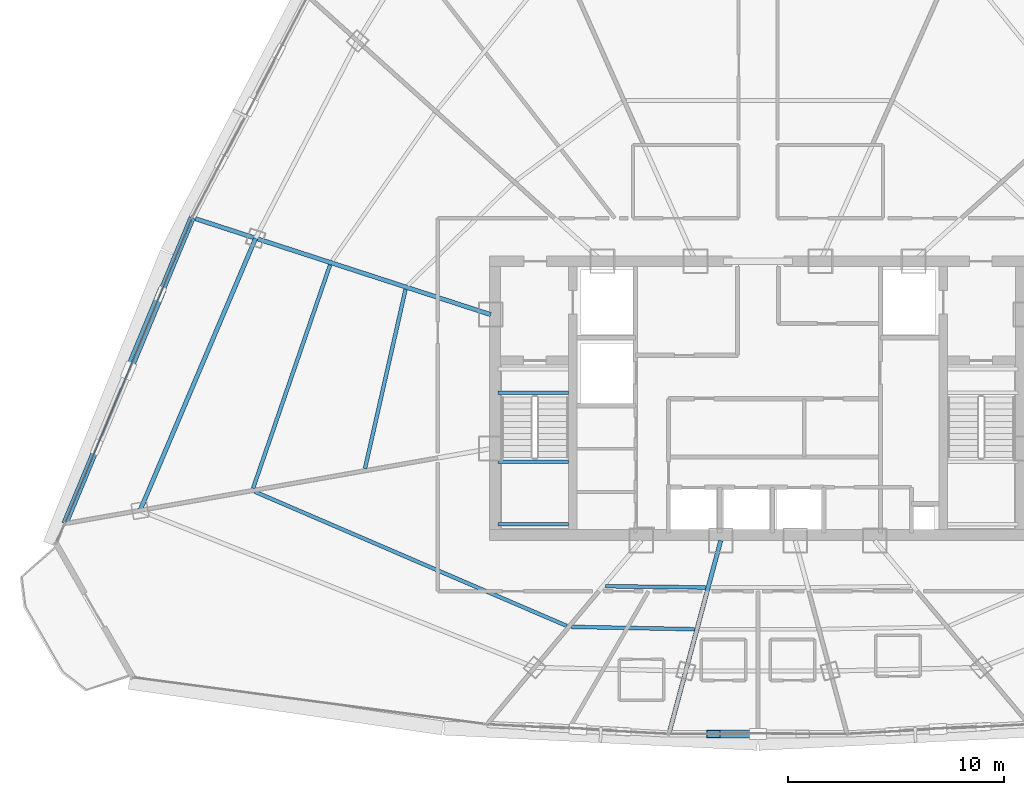
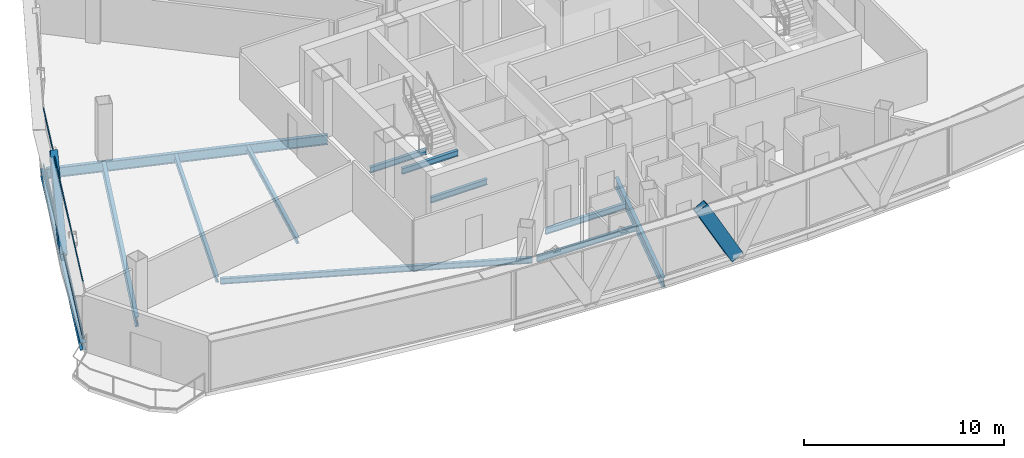
# One storey, part 7 of 37: 12 beams, 4 members, 1 element without a shape of its own.
"""IFC4 building model written with IfcOpenShell, lengths in metres."""

from ifc_helpers import new_model, si_unit, direction, frame, origin, origin_2d, place, context, subcontext, project, spatial, hollow_rectangle, i_section, extrude, source, transform, mapped, material, layer, layer_set, material_profile, profile_set, type_object, element, aggregate, save


model = new_model("IFC4")

# Units and contexts
model_context = context("Model", 3, precision=1e-05, world=origin(), true_north=direction((0.0, 1.0)))
body_context = subcontext(model_context, "Body", "Model", "MODEL_VIEW")
ifc_project = project(units=[si_unit("LENGTHUNIT", "METRE"), si_unit("AREAUNIT", "SQUARE_METRE"), si_unit("VOLUMEUNIT", "CUBIC_METRE"), si_unit("PLANEANGLEUNIT", "RADIAN"), si_unit("MASSUNIT", "GRAM", prefix="KILO"), si_unit("THERMODYNAMICTEMPERATUREUNIT", "KELVIN"), si_unit("POWERUNIT", "WATT")], contexts=[model_context])

# Site, building, storey
site_placement = place(None, origin())
site = spatial("IfcSite", under=ifc_project, at=site_placement, CompositionType="ELEMENT")
building_placement = place(site_placement, origin())
building = spatial("IfcBuilding", under=site, at=building_placement, Name="Yunzhuo Pagoda Commons", CompositionType="ELEMENT")
storey_placement = place(building_placement, frame((0.0, 0.0, 281.2900390625)))
storey = spatial("IfcBuildingStorey", under=building, at=storey_placement, Name="L70", CompositionType="ELEMENT", Elevation=281.2900390625)

# Beams
ifc_material_1 = material(Name="Structural steel Q355B", Category="steel")
ifc_material_profile_1 = material_profile(ifc_material_1, i_section(OverallWidth=0.175048828125, OverallDepth=0.35009765625, WebThickness=0.007080078125, FlangeThickness=0.010986328125, at=origin_2d()), Name="Structural steel Q355B")
ifc_profile_set_1 = profile_set([ifc_material_profile_1], Name="Structural steel Q355B")
beam_type_1 = type_object("IfcBeamType", Name="B-JS2 Joist HN 350x175x7x11", PredefinedType="JOIST", material=ifc_profile_set_1)
shared_shape_1 = source(origin(), body_context, "Body", "SweptSolid", [
    extrude(i_section(OverallWidth=0.175048828125, OverallDepth=0.35009765625, WebThickness=0.007080078125, FlangeThickness=0.010986328125, at=origin_2d()), origin(), (0.0, 0.0, 1.0), 3.25),
])
for number, where, z_axis, x_axis, name in (
    (1, (35.949951171875, 28.0, 1.489990234375), (1.0, 0.0, 0.0), (0.0, 1.0, 0.0), "L70 ST1 landing support beam 76A"),
    (2, (35.949951171875, 30.89990234375, 1.489990234375), (1.0, 0.0, 0.0), (0.0, 1.0, 0.0), "L70 ST1 landing support beam 76B"),
    (3, (35.949951171875, 34.10009765625, -0.375), (1.0, 0.0, 0.0), (0.0, 1.0, 0.0), "L70 ST1 landing support beam 174A"),
):
    element("IfcBeam", number, at=place(storey_placement, frame(where, z_axis=z_axis, x_axis=x_axis)), inside=storey, type_object=beam_type_1, Name=name, PredefinedType="JOIST", context=body_context, shape_type="MappedRepresentation", body=[
        mapped(shared_shape_1, transform((0.0, 0.0, 0.0), scale=1.0)),
    ])
ifc_material_profile_2 = material_profile(ifc_material_1, i_section(OverallWidth=0.300048828125, OverallDepth=0.43994140625, WebThickness=0.010986328125, FlangeThickness=0.01806640625, at=origin_2d()), Name="Structural steel Q355B")
ifc_profile_set_2 = profile_set([ifc_material_profile_2], Name="Structural steel Q355B")
beam_type_2 = type_object("IfcBeamType", Name="B-SP2 Beam HM 440x300x11x18", PredefinedType="BEAM", material=ifc_profile_set_2)
shared_shape_2 = source(origin(), body_context, "Body", "SweptSolid", [
    extrude(i_section(OverallWidth=0.300048828125, OverallDepth=0.43994140625, WebThickness=0.010986328125, FlangeThickness=0.01806640625, at=origin_2d()), origin(), (0.0, 0.0, 1.0), 15.375244140625),
])
beam_1_placement = place(storey_placement, frame((21.751708984375, 42.228515625, -0.47998046875), z_axis=(-0.383838408303, -0.923400279571, 0.0), x_axis=(0.923400279571, -0.383838408303, 0.0)))
element("IfcBeam", 4, at=beam_1_placement, inside=storey, type_object=beam_type_2, Name="L70 facade edge spandrel beam F3.3", PredefinedType="BEAM", context=body_context, shape_type="MappedRepresentation", body=[
    mapped(shared_shape_2, transform((0.0, 0.0, 0.0), scale=1.0)),
])
ifc_material_profile_3 = material_profile(ifc_material_1, i_section(OverallWidth=0.199951171875, OverallDepth=0.60009765625, WebThickness=0.010986328125, FlangeThickness=0.01708984375, at=origin_2d()), Name="Structural steel Q355B")
ifc_profile_set_3 = profile_set([ifc_material_profile_3], Name="Structural steel Q355B")
beam_type_3 = type_object("IfcBeamType", Name="B-RG3 Beam HN 600x200x11x17", PredefinedType="BEAM", material=ifc_profile_set_3)
shared_shape_3 = source(origin(), body_context, "Body", "SweptSolid", [
    extrude(i_section(OverallWidth=0.199951171875, OverallDepth=0.60009765625, WebThickness=0.010986328125, FlangeThickness=0.01708984375, at=origin_2d()), origin(), (0.0, 0.0, 1.0), 9.136474609375),
])
beam_2_placement = place(storey_placement, frame((43.906982421875, 18.4248046875, -0.559814453125), z_axis=(0.258848279134, 0.96591799258, 0.0), x_axis=(-0.96591799258, 0.258848279134, 0.0)))
element("IfcBeam", 5, at=beam_2_placement, inside=storey, type_object=beam_type_3, Name="L70 radial floor girder F1C2", PredefinedType="BEAM", context=body_context, shape_type="MappedRepresentation", body=[
    mapped(shared_shape_3, transform((0.0, 0.0, 0.0), scale=1.0)),
])
shared_shape_4 = source(origin(), body_context, "Body", "SweptSolid", [
    extrude(i_section(OverallWidth=0.199951171875, OverallDepth=0.60009765625, WebThickness=0.010986328125, FlangeThickness=0.01708984375, at=origin_2d()), origin(), (0.0, 0.0, 1.0), 14.406005859375),
])
beam_3_placement = place(storey_placement, frame((21.899169921875, 42.1806640625, -0.559814453125), z_axis=(0.951057355196, -0.309014412492, 0.0), x_axis=(0.309014412492, 0.951057355196, 0.0)))
element("IfcBeam", 6, at=beam_3_placement, inside=storey, type_object=beam_type_3, Name="L70 radial floor girder F3C3", PredefinedType="BEAM", context=body_context, shape_type="MappedRepresentation", body=[
    mapped(shared_shape_4, transform((0.0, 0.0, 0.0), scale=1.0)),
])
shared_shape_5 = source(origin(), body_context, "Body", "SweptSolid", [
    extrude(i_section(OverallWidth=0.175048828125, OverallDepth=0.35009765625, WebThickness=0.007080078125, FlangeThickness=0.010986328125, at=origin_2d()), origin(), (0.0, 0.0, 1.0), 4.64892578125),
])
beam_4_placement = place(storey_placement, frame((40.924072265625, 25.12890625, -0.434814453125), z_axis=(0.999924495467, -0.012288342626, 0.0), x_axis=(0.012288342626, 0.999924495467, 0.0)))
element("IfcBeam", 7, at=beam_4_placement, inside=storey, type_object=beam_type_1, Name="L70 composite ring joist 1.1", PredefinedType="JOIST", context=body_context, shape_type="MappedRepresentation", body=[
    mapped(shared_shape_5, transform((0.0, 0.0, 0.0), scale=1.0)),
])
shared_shape_6 = source(origin(), body_context, "Body", "SweptSolid", [
    extrude(i_section(OverallWidth=0.175048828125, OverallDepth=0.35009765625, WebThickness=0.007080078125, FlangeThickness=0.010986328125, at=origin_2d()), origin(), (0.0, 0.0, 1.0), 5.711669921875),
])
beam_5_placement = place(storey_placement, frame((39.343017578125, 23.24365234375, -0.434814453125), z_axis=(0.999819084998, -0.019020969297, 0.0), x_axis=(0.019020969297, 0.999819084998, 0.0)))
element("IfcBeam", 8, at=beam_5_placement, inside=storey, type_object=beam_type_1, Name="L70 composite ring joist 2.1", PredefinedType="JOIST", context=body_context, shape_type="MappedRepresentation", body=[
    mapped(shared_shape_6, transform((0.0, 0.0, 0.0), scale=1.0)),
])
shared_shape_7 = source(origin(), body_context, "Body", "SweptSolid", [
    extrude(i_section(OverallWidth=0.199951171875, OverallDepth=0.60009765625, WebThickness=0.010986328125, FlangeThickness=0.01708984375, at=origin_2d()), origin(), (0.0, 0.0, 1.0), 13.715576171875),
])
beam_6_placement = place(storey_placement, frame((24.697509765625, 41.271484375, -0.559814453125), z_axis=(-0.390733146992, -0.920503996646, 0.0), x_axis=(0.920503996646, -0.390733146992, 0.0)))
element("IfcBeam", 9, at=beam_6_placement, inside=storey, type_object=beam_type_3, Name="L70 column-ring beam 11", PredefinedType="BEAM", context=body_context, shape_type="MappedRepresentation", body=[
    mapped(shared_shape_7, transform((0.0, 0.0, 0.0), scale=1.0)),
])
shared_shape_8 = source(origin(), body_context, "Body", "SweptSolid", [
    extrude(i_section(OverallWidth=0.175048828125, OverallDepth=0.35009765625, WebThickness=0.007080078125, FlangeThickness=0.010986328125, at=origin_2d()), origin(), (0.0, 0.0, 1.0), 8.508544921875),
])
beam_7_placement = place(storey_placement, frame((31.649658203125, 38.89208984375, -0.434814453125), z_axis=(-0.220769003385, -0.975326123481, 0.0), x_axis=(0.975326123481, -0.220769003385, 0.0)))
element("IfcBeam", 10, at=beam_7_placement, inside=storey, type_object=beam_type_1, Name="L70 composite ring joist 1.11", PredefinedType="JOIST", context=body_context, shape_type="MappedRepresentation", body=[
    mapped(shared_shape_8, transform((0.0, 0.0, 0.0), scale=1.0)),
])
shared_shape_9 = source(origin(), body_context, "Body", "SweptSolid", [
    extrude(i_section(OverallWidth=0.175048828125, OverallDepth=0.35009765625, WebThickness=0.007080078125, FlangeThickness=0.010986328125, at=origin_2d()), origin(), (0.0, 0.0, 1.0), 10.954345703125),
])
beam_8_placement = place(storey_placement, frame((28.14892578125, 40.029052734375, -0.434814453125), z_axis=(-0.325839571137, -0.945425075763, 0.0), x_axis=(0.945425075763, -0.325839571137, 0.0)))
element("IfcBeam", 11, at=beam_8_placement, inside=storey, type_object=beam_type_1, Name="L70 composite ring joist 2.11", PredefinedType="JOIST", context=body_context, shape_type="MappedRepresentation", body=[
    mapped(shared_shape_9, transform((0.0, 0.0, 0.0), scale=1.0)),
])
shared_shape_10 = source(origin(), body_context, "Body", "SweptSolid", [
    extrude(i_section(OverallWidth=0.175048828125, OverallDepth=0.35009765625, WebThickness=0.007080078125, FlangeThickness=0.010986328125, at=origin_2d()), origin(), (0.0, 0.0, 1.0), 15.757568359375),
])
beam_9_placement = place(storey_placement, frame((24.647705078125, 29.5185546875, -0.434814453125), z_axis=(0.918597596679, -0.395194199573, 0.0), x_axis=(0.395194199573, 0.918597596679, 0.0)))
element("IfcBeam", 12, at=beam_9_placement, inside=storey, type_object=beam_type_1, Name="L70 composite ring joist 2.12", PredefinedType="JOIST", context=body_context, shape_type="MappedRepresentation", body=[
    mapped(shared_shape_10, transform((0.0, 0.0, 0.0), scale=1.0)),
])

# Members
ifc_material_profile_4 = material_profile(ifc_material_1, hollow_rectangle(XDim=0.3798828125, YDim=0.719970703125, WallThickness=0.02001953125, at=origin_2d()), Name="Structural steel Q355B")
ifc_profile_set_4 = profile_set([ifc_material_profile_4], Name="Structural steel Q355B")
member_type_1 = type_object("IfcMemberType", Name="M-DL3 Brace BOX 720x380x20", PredefinedType="BRACE", material=ifc_profile_set_4)
shared_shape_11 = source(origin(), body_context, "Body", "SweptSolid", [
    extrude(hollow_rectangle(XDim=0.3798828125, YDim=0.719970703125, WallThickness=0.02001953125, at=origin_2d()), origin(), (0.0, 0.0, 1.0), 4.26416015625),
])
member_1_placement = place(storey_placement, frame((48.0, 18.275390625, -0.260009765625), z_axis=(-0.4846022834, 0.0, 0.874734603708), x_axis=(0.0, -1.0, 0.0)))
element("IfcMember", 13, at=member_1_placement, inside=storey, type_object=member_type_1, Name="L70 facade diamond brace F1.2L", PredefinedType="BRACE", context=body_context, shape_type="MappedRepresentation", body=[
    mapped(shared_shape_11, transform((0.0, 0.0, 0.0), scale=1.0)),
])
shared_shape_12 = source(origin(), body_context, "Body", "SweptSolid", [
    extrude(hollow_rectangle(XDim=0.3798828125, YDim=0.719970703125, WallThickness=0.02001953125, at=origin_2d()), origin(), (0.0, 0.0, 1.0), 5.35595703125),
])
member_2_placement = place(storey_placement, frame((18.80078125, 35.1298828125, -0.260009765625), z_axis=(0.27545446542, 0.662676984667, 0.696407963388), x_axis=(-0.923403568179, 0.383830496802, 0.0)))
element("IfcMember", 14, at=member_2_placement, inside=storey, type_object=member_type_1, Name="L70 facade diamond brace F3.3L", PredefinedType="BRACE", context=body_context, shape_type="MappedRepresentation", body=[
    mapped(shared_shape_12, transform((0.0, 0.0, 0.0), scale=1.0)),
])

# Curtain wall, members
ifc_material_2 = material(Name="Anodized aluminium 6063-T6", Category="aluminium")
ifc_layer = layer(ifc_material_2, 0.139892578125)
ifc_layer_set = layer_set([ifc_layer], Name="Anodized aluminium 6063-T6")
curtain_wall_type = type_object("IfcCurtainWallType", Name="CW-HI High-Zone Ribbon Curtain Wall", PredefinedType="NOTDEFINED", material=ifc_layer_set)
curtain_wall_placement = place(storey_placement, origin())
curtain_wall = element("IfcCurtainWall", 15, at=curtain_wall_placement, inside=storey, type_object=curtain_wall_type, Name="L70 curtain wall CW-L70-F3B4", PredefinedType="NOTDEFINED")
ifc_material_profile_5 = material_profile(ifc_material_2, hollow_rectangle(XDim=0.054931640625, YDim=0.1201171875, WallThickness=0.00341796875, at=origin_2d()), Name="Anodized aluminium 6063-T6")
ifc_profile_set_5 = profile_set([ifc_material_profile_5], Name="Anodized aluminium 6063-T6")
member_type_2 = type_object("IfcMemberType", Name="CW-HI-T Transom RHS 120x55x3.5", PredefinedType="USERDEFINED", material=ifc_profile_set_5)
shared_shape_13 = source(origin(), body_context, "Body", "SweptSolid", [
    extrude(hollow_rectangle(XDim=0.054931640625, YDim=0.1201171875, WallThickness=0.00341796875, at=origin_2d()), origin(), (0.0, 0.0, 1.0), 15.25537109375),
])
member_3_placement = place(storey_placement, frame((21.728759765625, 42.173095703125, 0.02734375), z_axis=(-0.383861857229, -0.923390531988, 0.0), x_axis=(0.923390531988, -0.383861857229, 0.0)))
member_3 = element("IfcMember", 16, at=member_3_placement, type_object=member_type_2, Name="CW transom 1.1", ObjectType="TRANSOM", PredefinedType="USERDEFINED", context=body_context, shape_type="MappedRepresentation", body=[
    mapped(shared_shape_13, transform((0.0, 0.0, 0.0), scale=1.0)),
])
member_4_placement = place(storey_placement, frame((21.728759765625, 42.173095703125, 3.4423828125), z_axis=(-0.383861857229, -0.923390531988, 0.0), x_axis=(0.923390531988, -0.383861857229, 0.0)))
member_4 = element("IfcMember", 17, at=member_4_placement, type_object=member_type_2, Name="CW transom 1.2", ObjectType="TRANSOM", PredefinedType="USERDEFINED", context=body_context, shape_type="MappedRepresentation", body=[
    mapped(shared_shape_13, transform((0.0, 0.0, 0.0), scale=1.0)),
])
aggregate(curtain_wall, [member_3, member_4])

save(model, "model.ifc")
